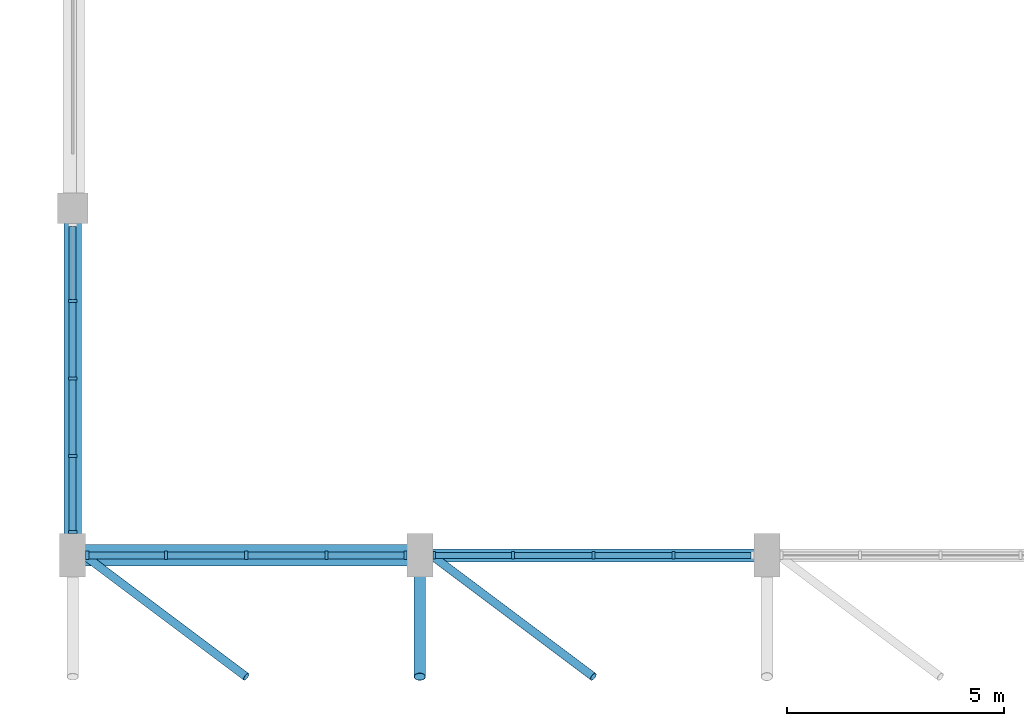
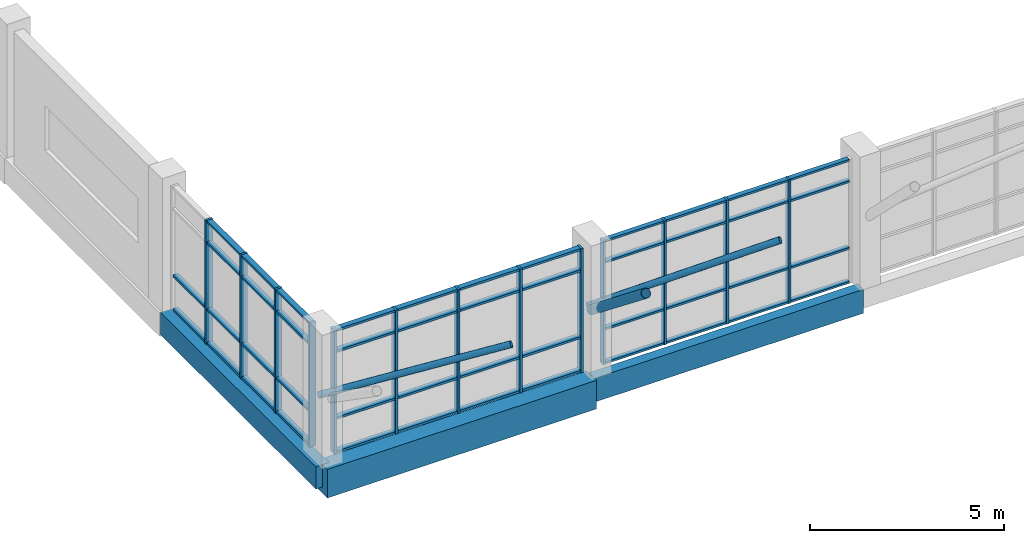
# One storey, part 2 of 44: 62 members, 3 beams, 3 elements without a shape of their own.
"""IFC4 building model written with IfcOpenShell, lengths in metres."""

from ifc_helpers import new_model, si_unit, direction, frame, origin, origin_2d, place, context, subcontext, project, spatial, rectangle, hollow_circle, extrude, material, material_profile, profile_set, type_object, element, aggregate, save


model = new_model("IFC4")

# Units and contexts
model_context = context("Model", 3, precision=1e-05, world=origin(), true_north=direction((0.0, 1.0)))
body_context = subcontext(model_context, "Body", "Model", "MODEL_VIEW")
ifc_project = project(units=[si_unit("LENGTHUNIT", "METRE"), si_unit("AREAUNIT", "SQUARE_METRE"), si_unit("VOLUMEUNIT", "CUBIC_METRE"), si_unit("PLANEANGLEUNIT", "RADIAN"), si_unit("MASSUNIT", "GRAM", prefix="KILO")], contexts=[model_context])

# Site, building, storey
site_placement = place(None, origin())
site = spatial("IfcSite", under=ifc_project, at=site_placement, CompositionType="ELEMENT")
building_placement = place(site_placement, origin())
building = spatial("IfcBuilding", under=site, at=building_placement, Name="Tenunan Teduh Sports Hall", CompositionType="ELEMENT")
storey_placement = place(building_placement, frame((0.0, 0.0, 19.199951171875)))
storey = spatial("IfcBuildingStorey", under=building, at=storey_placement, Name="L04", CompositionType="ELEMENT", Elevation=19.199951171875)

# Beams
ifc_material_1 = material(Name="Concrete C40/50", Category="concrete")
ifc_material_profile_1 = material_profile(ifc_material_1, rectangle(XDim=0.39990234375, YDim=0.699951171875, at=origin_2d()), Name="RCB 400x700")
ifc_profile_set_1 = profile_set([ifc_material_profile_1], Name="Concrete C40/50")
beam_type_1 = type_object("IfcBeamType", Name="BM-RC-400x700", PredefinedType="BEAM", material=ifc_profile_set_1)
beam_1_placement = place(storey_placement, frame((6.0, 14.0, -0.619873046875), z_axis=(0.0, 1.0, 0.0), x_axis=(-1.0, 0.0, 0.0)))
element("IfcBeam", 1, at=beam_1_placement, inside=storey, type_object=beam_type_1, Name="BM-B-08-L04-2064", PredefinedType="BEAM", context=body_context, shape_type="SweptSolid", body=[
    extrude(rectangle(XDim=0.39990234375, YDim=0.699951171875, at=origin_2d()), origin(), (0.0, 0.0, 1.0), 8.0),
])
ifc_material_2 = material(Name="Concrete C40/50", Category="concrete")
ifc_material_profile_2 = material_profile(ifc_material_2, rectangle(XDim=0.5, YDim=0.89990234375, at=origin_2d()), Name="RCB 500x900")
ifc_profile_set_2 = profile_set([ifc_material_profile_2], Name="Concrete C40/50")
beam_type_2 = type_object("IfcBeamType", Name="BM-RC-500x900", PredefinedType="BEAM", material=ifc_profile_set_2)
beam_2_placement = place(storey_placement, frame((6.0, 14.0, -0.719970703125), z_axis=(1.0, 0.0, 0.0), x_axis=(0.0, 1.0, 0.0)))
element("IfcBeam", 2, at=beam_2_placement, inside=storey, type_object=beam_type_2, Name="BM-B-15-L04-2010", PredefinedType="BEAM", context=body_context, shape_type="SweptSolid", body=[
    extrude(rectangle(XDim=0.5, YDim=0.89990234375, at=origin_2d()), origin(), (0.0, 0.0, 1.0), 8.0),
])
ifc_material_3 = material(Name="Concrete C40/50", Category="concrete")
ifc_material_profile_3 = material_profile(ifc_material_3, rectangle(XDim=0.300048828125, YDim=0.75, at=origin_2d()), Name="SPB 300x750")
ifc_profile_set_3 = profile_set([ifc_material_profile_3], Name="Concrete C40/50")
beam_type_3 = type_object("IfcBeamType", Name="BM-SP-300x750", PredefinedType="SPANDREL", material=ifc_profile_set_3)
beam_3_placement = place(storey_placement, frame((14.0, 14.0, -0.64501953125), z_axis=(1.0, 0.0, 0.0), x_axis=(0.0, 1.0, 0.0)))
element("IfcBeam", 3, at=beam_3_placement, inside=storey, type_object=beam_type_3, Name="BM-SP-01-L04-2011", PredefinedType="SPANDREL", context=body_context, shape_type="SweptSolid", body=[
    extrude(rectangle(XDim=0.300048828125, YDim=0.75, at=origin_2d()), origin(), (0.0, 0.0, 1.0), 8.0),
])

# Curtain wall, members
ifc_material_4 = material(Name="Anodised aluminium", Category="aluminium")
curtain_wall_type = type_object("IfcCurtainWallType", Name="CW-UNIT-2", PredefinedType="NOTDEFINED", material=ifc_material_4)
curtain_wall_1_placement = place(storey_placement, origin())
curtain_wall_1 = element("IfcCurtainWall", 4, at=curtain_wall_1_placement, inside=storey, type_object=curtain_wall_type, Name="CW-CWM-175-L04-094", PredefinedType="NOTDEFINED")
ifc_material_5 = material(Name="Anodised aluminium", Category="aluminium")
ifc_material_profile_4 = material_profile(ifc_material_5, rectangle(XDim=0.06494140625, YDim=0.175048828125, at=origin_2d()), Name="CWM 65x175")
ifc_profile_set_4 = profile_set([ifc_material_profile_4], Name="Anodised aluminium")
member_type_1 = type_object("IfcMemberType", Name="CWM-175", PredefinedType="MULLION", material=ifc_profile_set_4)
member_1_placement = place(storey_placement, frame((14.33251953125, 14.0, 0.0), z_axis=(0.0, 0.0, 1.0), x_axis=(1.0, 0.0, 0.0)))
member_1 = element("IfcMember", 5, at=member_1_placement, type_object=member_type_1, Name="CW-02 mullion 1", PredefinedType="MULLION", context=body_context, shape_type="SweptSolid", body=[
    extrude(rectangle(XDim=0.06494140625, YDim=0.175048828125, at=origin_2d()), origin(), (0.0, 0.0, 1.0), 3.900146484375),
])
member_2_placement = place(storey_placement, frame((16.14990234375, 14.0, 0.0), z_axis=(0.0, 0.0, 1.0), x_axis=(1.0, 0.0, 0.0)))
member_2 = element("IfcMember", 6, at=member_2_placement, type_object=member_type_1, Name="CW-02 mullion 2", PredefinedType="MULLION", context=body_context, shape_type="SweptSolid", body=[
    extrude(rectangle(XDim=0.06494140625, YDim=0.175048828125, at=origin_2d()), origin(), (0.0, 0.0, 1.0), 3.900146484375),
])
member_3_placement = place(storey_placement, frame((18.0, 14.0, 0.0), z_axis=(0.0, 0.0, 1.0), x_axis=(1.0, 0.0, 0.0)))
member_3 = element("IfcMember", 7, at=member_3_placement, type_object=member_type_1, Name="CW-02 mullion 3", PredefinedType="MULLION", context=body_context, shape_type="SweptSolid", body=[
    extrude(rectangle(XDim=0.06494140625, YDim=0.175048828125, at=origin_2d()), origin(), (0.0, 0.0, 1.0), 3.900146484375),
])
member_4_placement = place(storey_placement, frame((19.85009765625, 14.0, 0.0), z_axis=(0.0, 0.0, 1.0), x_axis=(1.0, 0.0, 0.0)))
member_4 = element("IfcMember", 8, at=member_4_placement, type_object=member_type_1, Name="CW-02 mullion 4", PredefinedType="MULLION", context=body_context, shape_type="SweptSolid", body=[
    extrude(rectangle(XDim=0.06494140625, YDim=0.175048828125, at=origin_2d()), origin(), (0.0, 0.0, 1.0), 3.900146484375),
])

curtain_wall_2_placement = place(storey_placement, origin())
curtain_wall_2 = element("IfcCurtainWall", 9, at=curtain_wall_2_placement, inside=storey, type_object=curtain_wall_type, Name="CW-CWM-200-L04-092", PredefinedType="NOTDEFINED")
ifc_material_6 = material(Name="Anodised aluminium", Category="aluminium")
ifc_material_profile_5 = material_profile(ifc_material_6, rectangle(XDim=0.070068359375, YDim=0.199951171875, at=origin_2d()), Name="CWM 70x200")
ifc_profile_set_5 = profile_set([ifc_material_profile_5], Name="Anodised aluminium")
member_type_2 = type_object("IfcMemberType", Name="CWM-200", PredefinedType="MULLION", material=ifc_profile_set_5)
member_5_placement = place(storey_placement, frame((6.3349609375, 14.0, 0.0), z_axis=(0.0, 0.0, 1.0), x_axis=(1.0, 0.0, 0.0)))
member_5 = element("IfcMember", 10, at=member_5_placement, type_object=member_type_2, Name="CW-02 mullion 1", PredefinedType="MULLION", context=body_context, shape_type="SweptSolid", body=[
    extrude(rectangle(XDim=0.070068359375, YDim=0.199951171875, at=origin_2d()), origin(), (0.0, 0.0, 1.0), 3.900146484375),
])
member_6_placement = place(storey_placement, frame((8.14990234375, 14.0, 0.0), z_axis=(0.0, 0.0, 1.0), x_axis=(1.0, 0.0, 0.0)))
member_6 = element("IfcMember", 11, at=member_6_placement, type_object=member_type_2, Name="CW-02 mullion 2", PredefinedType="MULLION", context=body_context, shape_type="SweptSolid", body=[
    extrude(rectangle(XDim=0.070068359375, YDim=0.199951171875, at=origin_2d()), origin(), (0.0, 0.0, 1.0), 3.900146484375),
])
member_7_placement = place(storey_placement, frame((10.0, 14.0, 0.0), z_axis=(0.0, 0.0, 1.0), x_axis=(1.0, 0.0, 0.0)))
member_7 = element("IfcMember", 12, at=member_7_placement, type_object=member_type_2, Name="CW-02 mullion 3", PredefinedType="MULLION", context=body_context, shape_type="SweptSolid", body=[
    extrude(rectangle(XDim=0.070068359375, YDim=0.199951171875, at=origin_2d()), origin(), (0.0, 0.0, 1.0), 3.900146484375),
])
member_8_placement = place(storey_placement, frame((11.85009765625, 14.0, 0.0), z_axis=(0.0, 0.0, 1.0), x_axis=(1.0, 0.0, 0.0)))
member_8 = element("IfcMember", 13, at=member_8_placement, type_object=member_type_2, Name="CW-02 mullion 4", PredefinedType="MULLION", context=body_context, shape_type="SweptSolid", body=[
    extrude(rectangle(XDim=0.070068359375, YDim=0.199951171875, at=origin_2d()), origin(), (0.0, 0.0, 1.0), 3.900146484375),
])
member_9_placement = place(storey_placement, frame((13.6650390625, 14.0, 0.0), z_axis=(0.0, 0.0, 1.0), x_axis=(1.0, 0.0, 0.0)))
member_9 = element("IfcMember", 14, at=member_9_placement, type_object=member_type_2, Name="CW-02 mullion 5", PredefinedType="MULLION", context=body_context, shape_type="SweptSolid", body=[
    extrude(rectangle(XDim=0.070068359375, YDim=0.199951171875, at=origin_2d()), origin(), (0.0, 0.0, 1.0), 3.900146484375),
])

curtain_wall_3_placement = place(storey_placement, origin())
curtain_wall_3 = element("IfcCurtainWall", 15, at=curtain_wall_3_placement, inside=storey, type_object=curtain_wall_type, Name="CW-CWM-200-L04-104", PredefinedType="NOTDEFINED")
member_10_placement = place(storey_placement, frame((6.0, 14.534912109375, 0.0), z_axis=(0.0, 0.0, 1.0), x_axis=(0.0, 1.0, 0.0)))
member_10 = element("IfcMember", 16, at=member_10_placement, type_object=member_type_2, Name="CW-02 mullion 1", PredefinedType="MULLION", context=body_context, shape_type="SweptSolid", body=[
    extrude(rectangle(XDim=0.070068359375, YDim=0.199951171875, at=origin_2d()), origin(), (0.0, 0.0, 1.0), 3.900146484375),
])
member_11_placement = place(storey_placement, frame((6.0, 16.28759765625, 0.0), z_axis=(0.0, 0.0, 1.0), x_axis=(0.0, 1.0, 0.0)))
member_11 = element("IfcMember", 17, at=member_11_placement, type_object=member_type_2, Name="CW-02 mullion 2", PredefinedType="MULLION", context=body_context, shape_type="SweptSolid", body=[
    extrude(rectangle(XDim=0.070068359375, YDim=0.199951171875, at=origin_2d()), origin(), (0.0, 0.0, 1.0), 3.900146484375),
])
member_12_placement = place(storey_placement, frame((6.0, 18.074951171875, 0.0), z_axis=(0.0, 0.0, 1.0), x_axis=(0.0, 1.0, 0.0)))
member_12 = element("IfcMember", 18, at=member_12_placement, type_object=member_type_2, Name="CW-02 mullion 3", PredefinedType="MULLION", context=body_context, shape_type="SweptSolid", body=[
    extrude(rectangle(XDim=0.070068359375, YDim=0.199951171875, at=origin_2d()), origin(), (0.0, 0.0, 1.0), 3.900146484375),
])
member_13_placement = place(storey_placement, frame((6.0, 19.862548828125, 0.0), z_axis=(0.0, 0.0, 1.0), x_axis=(0.0, 1.0, 0.0)))
member_13 = element("IfcMember", 19, at=member_13_placement, type_object=member_type_2, Name="CW-02 mullion 4", PredefinedType="MULLION", context=body_context, shape_type="SweptSolid", body=[
    extrude(rectangle(XDim=0.070068359375, YDim=0.199951171875, at=origin_2d()), origin(), (0.0, 0.0, 1.0), 3.900146484375),
])

# Member
ifc_material_7 = material(Name="Anodised aluminium", Category="aluminium")
ifc_material_profile_6 = material_profile(ifc_material_7, rectangle(XDim=0.06494140625, YDim=0.139892578125, at=origin_2d()), Name="CWT 65x140")
ifc_profile_set_6 = profile_set([ifc_material_profile_6], Name="Anodised aluminium")
member_type_3 = type_object("IfcMemberType", Name="CWT-150", PredefinedType="USERDEFINED", material=ifc_profile_set_6)
member_14_placement = place(storey_placement, frame((14.364990234375, 14.0, 0.032470703125), z_axis=(1.0, 0.0, 0.0), x_axis=(0.0, 0.0, 1.0)))
member_14 = element("IfcMember", 20, at=member_14_placement, type_object=member_type_3, Name="CW-02 transom 1.1", ObjectType="TRANSOM", PredefinedType="USERDEFINED", context=body_context, shape_type="SweptSolid", body=[
    extrude(rectangle(XDim=0.06494140625, YDim=0.139892578125, at=origin_2d()), origin(), (0.0, 0.0, 1.0), 1.75244140625),
])

member_15_placement = place(storey_placement, frame((14.364990234375, 14.0, 1.10009765625), z_axis=(1.0, 0.0, 0.0), x_axis=(0.0, 0.0, 1.0)))
member_15 = element("IfcMember", 21, at=member_15_placement, type_object=member_type_3, Name="CW-02 transom 1.2", ObjectType="TRANSOM", PredefinedType="USERDEFINED", context=body_context, shape_type="SweptSolid", body=[
    extrude(rectangle(XDim=0.06494140625, YDim=0.139892578125, at=origin_2d()), origin(), (0.0, 0.0, 1.0), 1.75244140625),
])

member_16_placement = place(storey_placement, frame((14.364990234375, 14.0, 3.199951171875), z_axis=(1.0, 0.0, 0.0), x_axis=(0.0, 0.0, 1.0)))
member_16 = element("IfcMember", 22, at=member_16_placement, type_object=member_type_3, Name="CW-02 transom 1.3", ObjectType="TRANSOM", PredefinedType="USERDEFINED", context=body_context, shape_type="SweptSolid", body=[
    extrude(rectangle(XDim=0.06494140625, YDim=0.139892578125, at=origin_2d()), origin(), (0.0, 0.0, 1.0), 1.75244140625),
])

member_17_placement = place(storey_placement, frame((14.364990234375, 14.0, 3.867431640625), z_axis=(1.0, 0.0, 0.0), x_axis=(0.0, 0.0, 1.0)))
member_17 = element("IfcMember", 23, at=member_17_placement, type_object=member_type_3, Name="CW-02 transom 1.4", ObjectType="TRANSOM", PredefinedType="USERDEFINED", context=body_context, shape_type="SweptSolid", body=[
    extrude(rectangle(XDim=0.06494140625, YDim=0.139892578125, at=origin_2d()), origin(), (0.0, 0.0, 1.0), 1.75244140625),
])

member_18_placement = place(storey_placement, frame((16.1826171875, 14.0, 0.032470703125), z_axis=(1.0, 0.0, 0.0), x_axis=(0.0, 0.0, 1.0)))
member_18 = element("IfcMember", 24, at=member_18_placement, type_object=member_type_3, Name="CW-02 transom 2.1", ObjectType="TRANSOM", PredefinedType="USERDEFINED", context=body_context, shape_type="SweptSolid", body=[
    extrude(rectangle(XDim=0.06494140625, YDim=0.139892578125, at=origin_2d()), origin(), (0.0, 0.0, 1.0), 1.784912109375),
])

member_19_placement = place(storey_placement, frame((16.1826171875, 14.0, 1.10009765625), z_axis=(1.0, 0.0, 0.0), x_axis=(0.0, 0.0, 1.0)))
member_19 = element("IfcMember", 25, at=member_19_placement, type_object=member_type_3, Name="CW-02 transom 2.2", ObjectType="TRANSOM", PredefinedType="USERDEFINED", context=body_context, shape_type="SweptSolid", body=[
    extrude(rectangle(XDim=0.06494140625, YDim=0.139892578125, at=origin_2d()), origin(), (0.0, 0.0, 1.0), 1.784912109375),
])

member_20_placement = place(storey_placement, frame((16.1826171875, 14.0, 3.199951171875), z_axis=(1.0, 0.0, 0.0), x_axis=(0.0, 0.0, 1.0)))
member_20 = element("IfcMember", 26, at=member_20_placement, type_object=member_type_3, Name="CW-02 transom 2.3", ObjectType="TRANSOM", PredefinedType="USERDEFINED", context=body_context, shape_type="SweptSolid", body=[
    extrude(rectangle(XDim=0.06494140625, YDim=0.139892578125, at=origin_2d()), origin(), (0.0, 0.0, 1.0), 1.784912109375),
])

member_21_placement = place(storey_placement, frame((16.1826171875, 14.0, 3.867431640625), z_axis=(1.0, 0.0, 0.0), x_axis=(0.0, 0.0, 1.0)))
member_21 = element("IfcMember", 27, at=member_21_placement, type_object=member_type_3, Name="CW-02 transom 2.4", ObjectType="TRANSOM", PredefinedType="USERDEFINED", context=body_context, shape_type="SweptSolid", body=[
    extrude(rectangle(XDim=0.06494140625, YDim=0.139892578125, at=origin_2d()), origin(), (0.0, 0.0, 1.0), 1.784912109375),
])

member_22_placement = place(storey_placement, frame((18.032470703125, 14.0, 0.032470703125), z_axis=(1.0, 0.0, 0.0), x_axis=(0.0, 0.0, 1.0)))
member_22 = element("IfcMember", 28, at=member_22_placement, type_object=member_type_3, Name="CW-02 transom 3.1", ObjectType="TRANSOM", PredefinedType="USERDEFINED", context=body_context, shape_type="SweptSolid", body=[
    extrude(rectangle(XDim=0.06494140625, YDim=0.139892578125, at=origin_2d()), origin(), (0.0, 0.0, 1.0), 1.784912109375),
])

member_23_placement = place(storey_placement, frame((18.032470703125, 14.0, 1.10009765625), z_axis=(1.0, 0.0, 0.0), x_axis=(0.0, 0.0, 1.0)))
member_23 = element("IfcMember", 29, at=member_23_placement, type_object=member_type_3, Name="CW-02 transom 3.2", ObjectType="TRANSOM", PredefinedType="USERDEFINED", context=body_context, shape_type="SweptSolid", body=[
    extrude(rectangle(XDim=0.06494140625, YDim=0.139892578125, at=origin_2d()), origin(), (0.0, 0.0, 1.0), 1.784912109375),
])

member_24_placement = place(storey_placement, frame((18.032470703125, 14.0, 3.199951171875), z_axis=(1.0, 0.0, 0.0), x_axis=(0.0, 0.0, 1.0)))
member_24 = element("IfcMember", 30, at=member_24_placement, type_object=member_type_3, Name="CW-02 transom 3.3", ObjectType="TRANSOM", PredefinedType="USERDEFINED", context=body_context, shape_type="SweptSolid", body=[
    extrude(rectangle(XDim=0.06494140625, YDim=0.139892578125, at=origin_2d()), origin(), (0.0, 0.0, 1.0), 1.784912109375),
])

member_25_placement = place(storey_placement, frame((18.032470703125, 14.0, 3.867431640625), z_axis=(1.0, 0.0, 0.0), x_axis=(0.0, 0.0, 1.0)))
member_25 = element("IfcMember", 31, at=member_25_placement, type_object=member_type_3, Name="CW-02 transom 3.4", ObjectType="TRANSOM", PredefinedType="USERDEFINED", context=body_context, shape_type="SweptSolid", body=[
    extrude(rectangle(XDim=0.06494140625, YDim=0.139892578125, at=origin_2d()), origin(), (0.0, 0.0, 1.0), 1.784912109375),
])

member_26_placement = place(storey_placement, frame((19.882568359375, 14.0, 0.032470703125), z_axis=(1.0, 0.0, 0.0), x_axis=(0.0, 0.0, 1.0)))
member_26 = element("IfcMember", 32, at=member_26_placement, type_object=member_type_3, Name="CW-02 transom 4.1", ObjectType="TRANSOM", PredefinedType="USERDEFINED", context=body_context, shape_type="SweptSolid", body=[
    extrude(rectangle(XDim=0.06494140625, YDim=0.139892578125, at=origin_2d()), origin(), (0.0, 0.0, 1.0), 1.75244140625),
])

member_27_placement = place(storey_placement, frame((19.882568359375, 14.0, 1.10009765625), z_axis=(1.0, 0.0, 0.0), x_axis=(0.0, 0.0, 1.0)))
member_27 = element("IfcMember", 33, at=member_27_placement, type_object=member_type_3, Name="CW-02 transom 4.2", ObjectType="TRANSOM", PredefinedType="USERDEFINED", context=body_context, shape_type="SweptSolid", body=[
    extrude(rectangle(XDim=0.06494140625, YDim=0.139892578125, at=origin_2d()), origin(), (0.0, 0.0, 1.0), 1.75244140625),
])

member_28_placement = place(storey_placement, frame((19.882568359375, 14.0, 3.199951171875), z_axis=(1.0, 0.0, 0.0), x_axis=(0.0, 0.0, 1.0)))
member_28 = element("IfcMember", 34, at=member_28_placement, type_object=member_type_3, Name="CW-02 transom 4.3", ObjectType="TRANSOM", PredefinedType="USERDEFINED", context=body_context, shape_type="SweptSolid", body=[
    extrude(rectangle(XDim=0.06494140625, YDim=0.139892578125, at=origin_2d()), origin(), (0.0, 0.0, 1.0), 1.75244140625),
])

member_29_placement = place(storey_placement, frame((19.882568359375, 14.0, 3.867431640625), z_axis=(1.0, 0.0, 0.0), x_axis=(0.0, 0.0, 1.0)))
member_29 = element("IfcMember", 35, at=member_29_placement, type_object=member_type_3, Name="CW-02 transom 4.4", ObjectType="TRANSOM", PredefinedType="USERDEFINED", context=body_context, shape_type="SweptSolid", body=[
    extrude(rectangle(XDim=0.06494140625, YDim=0.139892578125, at=origin_2d()), origin(), (0.0, 0.0, 1.0), 1.75244140625),
])

aggregate(curtain_wall_1, [member_1, member_2, member_3, member_4, member_14, member_15, member_16, member_17, member_18, member_19, member_20, member_21, member_22, member_23, member_24, member_25, member_26, member_27, member_28, member_29])

ifc_material_8 = material(Name="Anodised aluminium", Category="aluminium")
ifc_material_profile_7 = material_profile(ifc_material_8, rectangle(XDim=0.070068359375, YDim=0.159912109375, at=origin_2d()), Name="CWT 70x160")
ifc_profile_set_7 = profile_set([ifc_material_profile_7], Name="Anodised aluminium")
member_type_4 = type_object("IfcMemberType", Name="CWT-200", PredefinedType="USERDEFINED", material=ifc_profile_set_7)
member_30_placement = place(storey_placement, frame((6.3701171875, 14.0, 0.03515625), z_axis=(1.0, 0.0, 0.0), x_axis=(0.0, 0.0, 1.0)))
member_30 = element("IfcMember", 36, at=member_30_placement, type_object=member_type_4, Name="CW-02 transom 1.1", ObjectType="TRANSOM", PredefinedType="USERDEFINED", context=body_context, shape_type="SweptSolid", body=[
    extrude(rectangle(XDim=0.070068359375, YDim=0.159912109375, at=origin_2d()), origin(), (0.0, 0.0, 1.0), 1.744873046875),
])

member_31_placement = place(storey_placement, frame((6.3701171875, 14.0, 1.10009765625), z_axis=(1.0, 0.0, 0.0), x_axis=(0.0, 0.0, 1.0)))
member_31 = element("IfcMember", 37, at=member_31_placement, type_object=member_type_4, Name="CW-02 transom 1.2", ObjectType="TRANSOM", PredefinedType="USERDEFINED", context=body_context, shape_type="SweptSolid", body=[
    extrude(rectangle(XDim=0.070068359375, YDim=0.159912109375, at=origin_2d()), origin(), (0.0, 0.0, 1.0), 1.744873046875),
])

member_32_placement = place(storey_placement, frame((6.3701171875, 14.0, 3.199951171875), z_axis=(1.0, 0.0, 0.0), x_axis=(0.0, 0.0, 1.0)))
member_32 = element("IfcMember", 38, at=member_32_placement, type_object=member_type_4, Name="CW-02 transom 1.3", ObjectType="TRANSOM", PredefinedType="USERDEFINED", context=body_context, shape_type="SweptSolid", body=[
    extrude(rectangle(XDim=0.070068359375, YDim=0.159912109375, at=origin_2d()), origin(), (0.0, 0.0, 1.0), 1.744873046875),
])

member_33_placement = place(storey_placement, frame((6.3701171875, 14.0, 3.864990234375), z_axis=(1.0, 0.0, 0.0), x_axis=(0.0, 0.0, 1.0)))
member_33 = element("IfcMember", 39, at=member_33_placement, type_object=member_type_4, Name="CW-02 transom 1.4", ObjectType="TRANSOM", PredefinedType="USERDEFINED", context=body_context, shape_type="SweptSolid", body=[
    extrude(rectangle(XDim=0.070068359375, YDim=0.159912109375, at=origin_2d()), origin(), (0.0, 0.0, 1.0), 1.744873046875),
])

member_34_placement = place(storey_placement, frame((8.18505859375, 14.0, 0.03515625), z_axis=(1.0, 0.0, 0.0), x_axis=(0.0, 0.0, 1.0)))
member_34 = element("IfcMember", 40, at=member_34_placement, type_object=member_type_4, Name="CW-02 transom 2.1", ObjectType="TRANSOM", PredefinedType="USERDEFINED", context=body_context, shape_type="SweptSolid", body=[
    extrude(rectangle(XDim=0.070068359375, YDim=0.159912109375, at=origin_2d()), origin(), (0.0, 0.0, 1.0), 1.780029296875),
])

member_35_placement = place(storey_placement, frame((8.18505859375, 14.0, 1.10009765625), z_axis=(1.0, 0.0, 0.0), x_axis=(0.0, 0.0, 1.0)))
member_35 = element("IfcMember", 41, at=member_35_placement, type_object=member_type_4, Name="CW-02 transom 2.2", ObjectType="TRANSOM", PredefinedType="USERDEFINED", context=body_context, shape_type="SweptSolid", body=[
    extrude(rectangle(XDim=0.070068359375, YDim=0.159912109375, at=origin_2d()), origin(), (0.0, 0.0, 1.0), 1.780029296875),
])

member_36_placement = place(storey_placement, frame((8.18505859375, 14.0, 3.199951171875), z_axis=(1.0, 0.0, 0.0), x_axis=(0.0, 0.0, 1.0)))
member_36 = element("IfcMember", 42, at=member_36_placement, type_object=member_type_4, Name="CW-02 transom 2.3", ObjectType="TRANSOM", PredefinedType="USERDEFINED", context=body_context, shape_type="SweptSolid", body=[
    extrude(rectangle(XDim=0.070068359375, YDim=0.159912109375, at=origin_2d()), origin(), (0.0, 0.0, 1.0), 1.780029296875),
])

member_37_placement = place(storey_placement, frame((8.18505859375, 14.0, 3.864990234375), z_axis=(1.0, 0.0, 0.0), x_axis=(0.0, 0.0, 1.0)))
member_37 = element("IfcMember", 43, at=member_37_placement, type_object=member_type_4, Name="CW-02 transom 2.4", ObjectType="TRANSOM", PredefinedType="USERDEFINED", context=body_context, shape_type="SweptSolid", body=[
    extrude(rectangle(XDim=0.070068359375, YDim=0.159912109375, at=origin_2d()), origin(), (0.0, 0.0, 1.0), 1.780029296875),
])

member_38_placement = place(storey_placement, frame((10.034912109375, 14.0, 0.03515625), z_axis=(1.0, 0.0, 0.0), x_axis=(0.0, 0.0, 1.0)))
member_38 = element("IfcMember", 44, at=member_38_placement, type_object=member_type_4, Name="CW-02 transom 3.1", ObjectType="TRANSOM", PredefinedType="USERDEFINED", context=body_context, shape_type="SweptSolid", body=[
    extrude(rectangle(XDim=0.070068359375, YDim=0.159912109375, at=origin_2d()), origin(), (0.0, 0.0, 1.0), 1.780029296875),
])

member_39_placement = place(storey_placement, frame((10.034912109375, 14.0, 1.10009765625), z_axis=(1.0, 0.0, 0.0), x_axis=(0.0, 0.0, 1.0)))
member_39 = element("IfcMember", 45, at=member_39_placement, type_object=member_type_4, Name="CW-02 transom 3.2", ObjectType="TRANSOM", PredefinedType="USERDEFINED", context=body_context, shape_type="SweptSolid", body=[
    extrude(rectangle(XDim=0.070068359375, YDim=0.159912109375, at=origin_2d()), origin(), (0.0, 0.0, 1.0), 1.780029296875),
])

member_40_placement = place(storey_placement, frame((10.034912109375, 14.0, 3.199951171875), z_axis=(1.0, 0.0, 0.0), x_axis=(0.0, 0.0, 1.0)))
member_40 = element("IfcMember", 46, at=member_40_placement, type_object=member_type_4, Name="CW-02 transom 3.3", ObjectType="TRANSOM", PredefinedType="USERDEFINED", context=body_context, shape_type="SweptSolid", body=[
    extrude(rectangle(XDim=0.070068359375, YDim=0.159912109375, at=origin_2d()), origin(), (0.0, 0.0, 1.0), 1.780029296875),
])

member_41_placement = place(storey_placement, frame((10.034912109375, 14.0, 3.864990234375), z_axis=(1.0, 0.0, 0.0), x_axis=(0.0, 0.0, 1.0)))
member_41 = element("IfcMember", 47, at=member_41_placement, type_object=member_type_4, Name="CW-02 transom 3.4", ObjectType="TRANSOM", PredefinedType="USERDEFINED", context=body_context, shape_type="SweptSolid", body=[
    extrude(rectangle(XDim=0.070068359375, YDim=0.159912109375, at=origin_2d()), origin(), (0.0, 0.0, 1.0), 1.780029296875),
])

member_42_placement = place(storey_placement, frame((11.885009765625, 14.0, 0.03515625), z_axis=(1.0, 0.0, 0.0), x_axis=(0.0, 0.0, 1.0)))
member_42 = element("IfcMember", 48, at=member_42_placement, type_object=member_type_4, Name="CW-02 transom 4.1", ObjectType="TRANSOM", PredefinedType="USERDEFINED", context=body_context, shape_type="SweptSolid", body=[
    extrude(rectangle(XDim=0.070068359375, YDim=0.159912109375, at=origin_2d()), origin(), (0.0, 0.0, 1.0), 1.744873046875),
])

member_43_placement = place(storey_placement, frame((11.885009765625, 14.0, 1.10009765625), z_axis=(1.0, 0.0, 0.0), x_axis=(0.0, 0.0, 1.0)))
member_43 = element("IfcMember", 49, at=member_43_placement, type_object=member_type_4, Name="CW-02 transom 4.2", ObjectType="TRANSOM", PredefinedType="USERDEFINED", context=body_context, shape_type="SweptSolid", body=[
    extrude(rectangle(XDim=0.070068359375, YDim=0.159912109375, at=origin_2d()), origin(), (0.0, 0.0, 1.0), 1.744873046875),
])

member_44_placement = place(storey_placement, frame((11.885009765625, 14.0, 3.199951171875), z_axis=(1.0, 0.0, 0.0), x_axis=(0.0, 0.0, 1.0)))
member_44 = element("IfcMember", 50, at=member_44_placement, type_object=member_type_4, Name="CW-02 transom 4.3", ObjectType="TRANSOM", PredefinedType="USERDEFINED", context=body_context, shape_type="SweptSolid", body=[
    extrude(rectangle(XDim=0.070068359375, YDim=0.159912109375, at=origin_2d()), origin(), (0.0, 0.0, 1.0), 1.744873046875),
])

member_45_placement = place(storey_placement, frame((11.885009765625, 14.0, 3.864990234375), z_axis=(1.0, 0.0, 0.0), x_axis=(0.0, 0.0, 1.0)))
member_45 = element("IfcMember", 51, at=member_45_placement, type_object=member_type_4, Name="CW-02 transom 4.4", ObjectType="TRANSOM", PredefinedType="USERDEFINED", context=body_context, shape_type="SweptSolid", body=[
    extrude(rectangle(XDim=0.070068359375, YDim=0.159912109375, at=origin_2d()), origin(), (0.0, 0.0, 1.0), 1.744873046875),
])

aggregate(curtain_wall_2, [member_5, member_6, member_7, member_8, member_9, member_30, member_31, member_32, member_33, member_34, member_35, member_36, member_37, member_38, member_39, member_40, member_41, member_42, member_43, member_44, member_45])

member_46_placement = place(storey_placement, frame((6.0, 14.570068359375, 0.03515625), z_axis=(0.0, 1.0, 0.0), x_axis=(0.0, 0.0, 1.0)))
member_46 = element("IfcMember", 52, at=member_46_placement, type_object=member_type_4, Name="CW-02 transom 1.1", ObjectType="TRANSOM", PredefinedType="USERDEFINED", context=body_context, shape_type="SweptSolid", body=[
    extrude(rectangle(XDim=0.070068359375, YDim=0.159912109375, at=origin_2d()), origin(), (0.0, 0.0, 1.0), 1.682373046875),
])

member_47_placement = place(storey_placement, frame((6.0, 14.570068359375, 1.10009765625), z_axis=(0.0, 1.0, 0.0), x_axis=(0.0, 0.0, 1.0)))
member_47 = element("IfcMember", 53, at=member_47_placement, type_object=member_type_4, Name="CW-02 transom 1.2", ObjectType="TRANSOM", PredefinedType="USERDEFINED", context=body_context, shape_type="SweptSolid", body=[
    extrude(rectangle(XDim=0.070068359375, YDim=0.159912109375, at=origin_2d()), origin(), (0.0, 0.0, 1.0), 1.682373046875),
])

member_48_placement = place(storey_placement, frame((6.0, 14.570068359375, 3.199951171875), z_axis=(0.0, 1.0, 0.0), x_axis=(0.0, 0.0, 1.0)))
member_48 = element("IfcMember", 54, at=member_48_placement, type_object=member_type_4, Name="CW-02 transom 1.3", ObjectType="TRANSOM", PredefinedType="USERDEFINED", context=body_context, shape_type="SweptSolid", body=[
    extrude(rectangle(XDim=0.070068359375, YDim=0.159912109375, at=origin_2d()), origin(), (0.0, 0.0, 1.0), 1.682373046875),
])

member_49_placement = place(storey_placement, frame((6.0, 14.570068359375, 3.864990234375), z_axis=(0.0, 1.0, 0.0), x_axis=(0.0, 0.0, 1.0)))
member_49 = element("IfcMember", 55, at=member_49_placement, type_object=member_type_4, Name="CW-02 transom 1.4", ObjectType="TRANSOM", PredefinedType="USERDEFINED", context=body_context, shape_type="SweptSolid", body=[
    extrude(rectangle(XDim=0.070068359375, YDim=0.159912109375, at=origin_2d()), origin(), (0.0, 0.0, 1.0), 1.682373046875),
])

member_50_placement = place(storey_placement, frame((6.0, 16.322509765625, 0.03515625), z_axis=(0.0, 1.0, 0.0), x_axis=(0.0, 0.0, 1.0)))
member_50 = element("IfcMember", 56, at=member_50_placement, type_object=member_type_4, Name="CW-02 transom 2.1", ObjectType="TRANSOM", PredefinedType="USERDEFINED", context=body_context, shape_type="SweptSolid", body=[
    extrude(rectangle(XDim=0.070068359375, YDim=0.159912109375, at=origin_2d()), origin(), (0.0, 0.0, 1.0), 1.717529296875),
])

member_51_placement = place(storey_placement, frame((6.0, 16.322509765625, 1.10009765625), z_axis=(0.0, 1.0, 0.0), x_axis=(0.0, 0.0, 1.0)))
member_51 = element("IfcMember", 57, at=member_51_placement, type_object=member_type_4, Name="CW-02 transom 2.2", ObjectType="TRANSOM", PredefinedType="USERDEFINED", context=body_context, shape_type="SweptSolid", body=[
    extrude(rectangle(XDim=0.070068359375, YDim=0.159912109375, at=origin_2d()), origin(), (0.0, 0.0, 1.0), 1.717529296875),
])

member_52_placement = place(storey_placement, frame((6.0, 16.322509765625, 3.199951171875), z_axis=(0.0, 1.0, 0.0), x_axis=(0.0, 0.0, 1.0)))
member_52 = element("IfcMember", 58, at=member_52_placement, type_object=member_type_4, Name="CW-02 transom 2.3", ObjectType="TRANSOM", PredefinedType="USERDEFINED", context=body_context, shape_type="SweptSolid", body=[
    extrude(rectangle(XDim=0.070068359375, YDim=0.159912109375, at=origin_2d()), origin(), (0.0, 0.0, 1.0), 1.717529296875),
])

member_53_placement = place(storey_placement, frame((6.0, 16.322509765625, 3.864990234375), z_axis=(0.0, 1.0, 0.0), x_axis=(0.0, 0.0, 1.0)))
member_53 = element("IfcMember", 59, at=member_53_placement, type_object=member_type_4, Name="CW-02 transom 2.4", ObjectType="TRANSOM", PredefinedType="USERDEFINED", context=body_context, shape_type="SweptSolid", body=[
    extrude(rectangle(XDim=0.070068359375, YDim=0.159912109375, at=origin_2d()), origin(), (0.0, 0.0, 1.0), 1.717529296875),
])

member_54_placement = place(storey_placement, frame((6.0, 18.110107421875, 0.03515625), z_axis=(0.0, 1.0, 0.0), x_axis=(0.0, 0.0, 1.0)))
member_54 = element("IfcMember", 60, at=member_54_placement, type_object=member_type_4, Name="CW-02 transom 3.1", ObjectType="TRANSOM", PredefinedType="USERDEFINED", context=body_context, shape_type="SweptSolid", body=[
    extrude(rectangle(XDim=0.070068359375, YDim=0.159912109375, at=origin_2d()), origin(), (0.0, 0.0, 1.0), 1.71728515625),
])

member_55_placement = place(storey_placement, frame((6.0, 18.110107421875, 1.10009765625), z_axis=(0.0, 1.0, 0.0), x_axis=(0.0, 0.0, 1.0)))
member_55 = element("IfcMember", 61, at=member_55_placement, type_object=member_type_4, Name="CW-02 transom 3.2", ObjectType="TRANSOM", PredefinedType="USERDEFINED", context=body_context, shape_type="SweptSolid", body=[
    extrude(rectangle(XDim=0.070068359375, YDim=0.159912109375, at=origin_2d()), origin(), (0.0, 0.0, 1.0), 1.71728515625),
])

member_56_placement = place(storey_placement, frame((6.0, 18.110107421875, 3.199951171875), z_axis=(0.0, 1.0, 0.0), x_axis=(0.0, 0.0, 1.0)))
member_56 = element("IfcMember", 62, at=member_56_placement, type_object=member_type_4, Name="CW-02 transom 3.3", ObjectType="TRANSOM", PredefinedType="USERDEFINED", context=body_context, shape_type="SweptSolid", body=[
    extrude(rectangle(XDim=0.070068359375, YDim=0.159912109375, at=origin_2d()), origin(), (0.0, 0.0, 1.0), 1.71728515625),
])

member_57_placement = place(storey_placement, frame((6.0, 18.110107421875, 3.864990234375), z_axis=(0.0, 1.0, 0.0), x_axis=(0.0, 0.0, 1.0)))
member_57 = element("IfcMember", 63, at=member_57_placement, type_object=member_type_4, Name="CW-02 transom 3.4", ObjectType="TRANSOM", PredefinedType="USERDEFINED", context=body_context, shape_type="SweptSolid", body=[
    extrude(rectangle(XDim=0.070068359375, YDim=0.159912109375, at=origin_2d()), origin(), (0.0, 0.0, 1.0), 1.71728515625),
])

member_58_placement = place(storey_placement, frame((6.0, 19.8974609375, 0.03515625), z_axis=(0.0, 1.0, 0.0), x_axis=(0.0, 0.0, 1.0)))
member_58 = element("IfcMember", 64, at=member_58_placement, type_object=member_type_4, Name="CW-02 transom 4.1", ObjectType="TRANSOM", PredefinedType="USERDEFINED", context=body_context, shape_type="SweptSolid", body=[
    extrude(rectangle(XDim=0.070068359375, YDim=0.159912109375, at=origin_2d()), origin(), (0.0, 0.0, 1.0), 1.6826171875),
])

member_59_placement = place(storey_placement, frame((6.0, 19.8974609375, 1.10009765625), z_axis=(0.0, 1.0, 0.0), x_axis=(0.0, 0.0, 1.0)))
member_59 = element("IfcMember", 65, at=member_59_placement, type_object=member_type_4, Name="CW-02 transom 4.2", ObjectType="TRANSOM", PredefinedType="USERDEFINED", context=body_context, shape_type="SweptSolid", body=[
    extrude(rectangle(XDim=0.070068359375, YDim=0.159912109375, at=origin_2d()), origin(), (0.0, 0.0, 1.0), 1.6826171875),
])

aggregate(curtain_wall_3, [member_10, member_11, member_12, member_13, member_46, member_47, member_48, member_49, member_50, member_51, member_52, member_53, member_54, member_55, member_56, member_57, member_58, member_59])

# Members
ifc_material_9 = material(Name="Steel S355", Category="steel")
ifc_material_profile_8 = material_profile(ifc_material_9, hollow_circle(Radius=0.096923828125, WallThickness=0.008056640625, at=origin_2d()), Name="CHS 193.7x8.0")
ifc_profile_set_8 = profile_set([ifc_material_profile_8], Name="Steel S355")
member_type_5 = type_object("IfcMemberType", Name="MEM-BR-CHS194", PredefinedType="BRACE", material=ifc_profile_set_8)
member_60_placement = place(storey_placement, frame((6.0, 14.199951171875, 1.800048828125), z_axis=(0.741953988279, -0.556465491209, 0.373965822462), x_axis=(0.6, 0.8, 0.0)))
element("IfcMember", 66, at=member_60_placement, inside=storey, type_object=member_type_5, Name="MEM-GD-03-L04-0418", PredefinedType="BRACE", context=body_context, shape_type="SweptSolid", body=[
    extrude(hollow_circle(Radius=0.096923828125, WallThickness=0.008056640625, at=origin_2d()), origin(), (0.0, 0.0, 1.0), 5.39111328125),
])
member_61_placement = place(storey_placement, frame((14.0, 14.199951171875, 1.800048828125), z_axis=(0.715960769164, -0.536970576873, 0.446164517405), x_axis=(0.6, 0.8, 0.0)))
element("IfcMember", 67, at=member_61_placement, inside=storey, type_object=member_type_5, Name="MEM-GD-03-L04-0434", PredefinedType="BRACE", context=body_context, shape_type="SweptSolid", body=[
    extrude(hollow_circle(Radius=0.096923828125, WallThickness=0.008056640625, at=origin_2d()), origin(), (0.0, 0.0, 1.0), 5.5869140625),
])
ifc_material_10 = material(Name="Steel S355", Category="steel")
ifc_material_profile_9 = material_profile(ifc_material_10, hollow_circle(Radius=0.136474609375, WallThickness=0.010009765625, at=origin_2d()), Name="CHS 273.0x10.0")
ifc_profile_set_9 = profile_set([ifc_material_profile_9], Name="Steel S355")
member_type_6 = type_object("IfcMemberType", Name="MEM-ST-CHS273", PredefinedType="STRUT", material=ifc_profile_set_9)
member_62_placement = place(storey_placement, frame((14.0, 14.0, 1.800048828125), z_axis=(0.0, -0.784232972207, 0.620466473956), x_axis=(1.0, 0.0, 0.0)))
element("IfcMember", 68, at=member_62_placement, inside=storey, type_object=member_type_6, Name="MEM-VS-04-L04-0426", PredefinedType="STRUT", context=body_context, shape_type="SweptSolid", body=[
    extrude(hollow_circle(Radius=0.136474609375, WallThickness=0.010009765625, at=origin_2d()), origin(), (0.0, 0.0, 1.0), 3.5703125),
])

save(model, "model.ifc")
